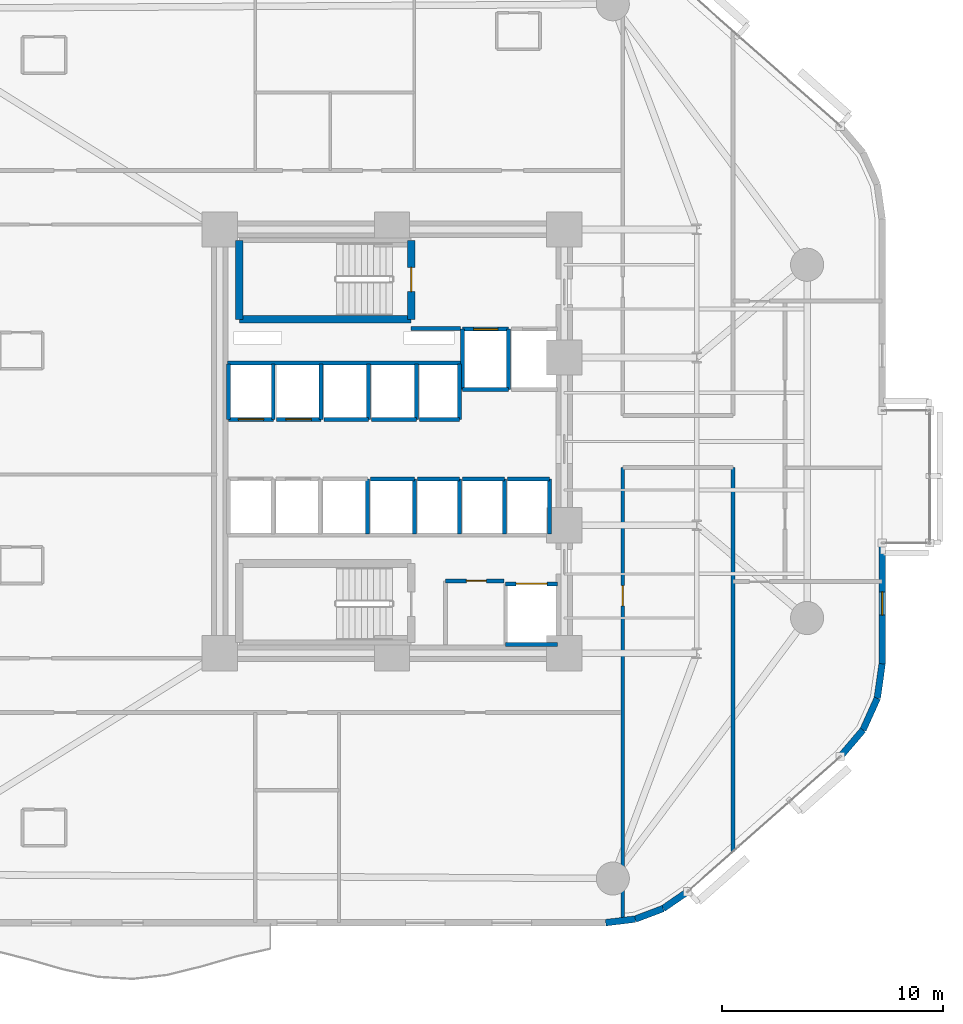
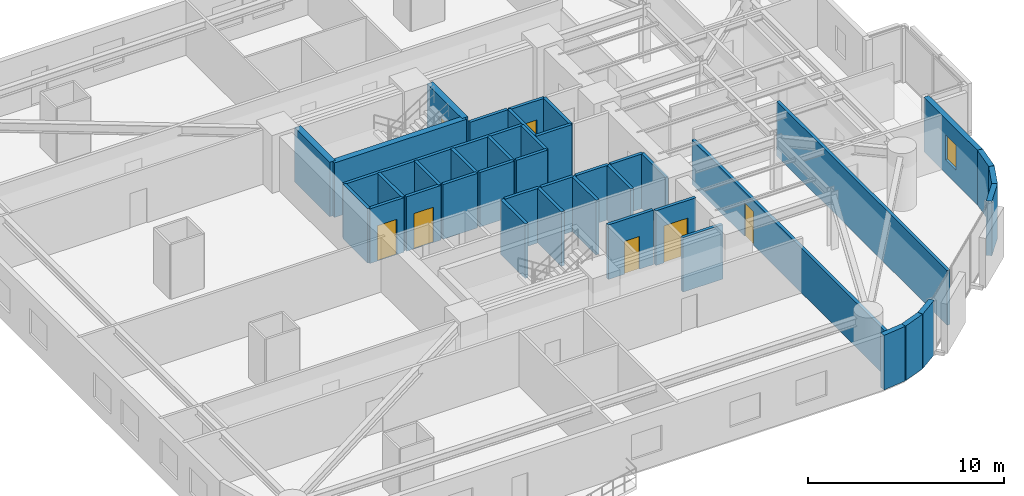
# One storey, part 11 of 16: 41 walls, 7 doors, 1 window, 8 openings.
"""IFC4 building model written with IfcOpenShell, lengths in metres."""

from ifc_helpers import new_model, si_unit, direction, frame, frame_2d, origin, place, context, subcontext, project, spatial, rectangle, extrude, material, layer, layer_set, type_object, element, fill, save


model = new_model("IFC4")

# Units and contexts
model_context = context("Model", 3, precision=1e-05, world=origin(), true_north=direction((0.0, 1.0)))
body_context = subcontext(model_context, "Body", "Model", "MODEL_VIEW")
ifc_project = project(units=[si_unit("LENGTHUNIT", "METRE"), si_unit("AREAUNIT", "SQUARE_METRE"), si_unit("VOLUMEUNIT", "CUBIC_METRE"), si_unit("PLANEANGLEUNIT", "RADIAN"), si_unit("MASSUNIT", "GRAM", prefix="KILO")], contexts=[model_context])

# Site, building, storey
site_placement = place(None, origin())
site = spatial("IfcSite", under=ifc_project, at=site_placement, CompositionType="ELEMENT")
building_placement = place(site_placement, origin())
building = spatial("IfcBuilding", under=site, at=building_placement, Name="An Khanh Terracotta Commons", CompositionType="ELEMENT")
storey_placement = place(building_placement, frame((0.0, 0.0, 57.60009765625)))
storey = spatial("IfcBuildingStorey", under=building, at=storey_placement, Name="L15", CompositionType="ELEMENT", Elevation=57.60009765625)

# Walls
ifc_material_1 = material(Name="Fire-Rated Gypsum Board on Steel Stud", Category="steel")
ifc_layer_1 = layer(ifc_material_1, 0.179931640625, Name="Fire-Rated Gypsum Board on Steel Stud")
ifc_layer_set_1 = layer_set([ifc_layer_1], Name="Fire-Rated Gypsum Board on Steel Stud")
wall_type_1 = type_object("IfcWallType", Name="WALL-CORR-180", PredefinedType="PARTITIONING", material=ifc_layer_set_1)
wall_1_placement = place(storey_placement, frame((30.27001953125, 29.1201171875, 0.0), z_axis=(0.0, 0.0, 1.0), x_axis=(1.0, 0.0, 0.0)))
element("IfcWall", 1, at=wall_1_placement, inside=storey, type_object=wall_type_1, Name="L15 Core Wall FFLW-L15-S", PredefinedType="PARTITIONING", context=body_context, shape_type="SweptSolid", body=[
    extrude(rectangle(XDim=2.239990234375, YDim=0.179931640625, at=frame_2d((1.1201171875, 0.0))), origin(), (0.0, 0.0, 1.0), 3.39990234375),
])
wall_2_placement = place(storey_placement, frame((21.949951171875, 27.5400390625, 0.0), z_axis=(0.0, 0.0, 1.0), x_axis=(1.0, 0.0, 0.0)))
element("IfcWall", 2, at=wall_2_placement, inside=storey, type_object=wall_type_1, Name="L15 Core Wall RSRW-L15-S", PredefinedType="PARTITIONING", context=body_context, shape_type="SweptSolid", body=[
    extrude(rectangle(XDim=10.56005859375, YDim=0.179931640625, at=frame_2d((5.280029296875, 0.0))), origin(), (0.0, 0.0, 1.0), 3.39990234375),
])

# Wall, opening, door
wall_3_placement = place(storey_placement, frame((31.820068359375, 17.679931640625, 0.0), z_axis=(0.0, 0.0, 1.0), x_axis=(1.0, 0.0, 0.0)))
wall_3 = element("IfcWall", 3, at=wall_3_placement, inside=storey, type_object=wall_type_1, Name="L15 Core Wall SSVCW-L15-N", PredefinedType="PARTITIONING", context=body_context, shape_type="SweptSolid", body=[
    extrude(rectangle(XDim=2.659912109375, YDim=0.179931640625, at=frame_2d((1.330078125, 0.0))), origin(), (0.0, 0.0, 1.0), 3.39990234375),
])
opening_1_placement = place(wall_3_placement, frame((0.949951171875, 0.0, 0.0)))
opening_1 = element("IfcOpeningElement", 4, at=opening_1_placement, cuts=wall_3, Name="Opening D-SV", PredefinedType="OPENING", context=body_context, shape_type="SweptSolid", body=[
    extrude(rectangle(XDim=0.89990234375, YDim=2.050048828125, at=frame_2d((0.449951171875, 1.02490234375))), frame((0.0, 0.099853515625, 0.0), z_axis=(0.0, -1.0, 0.0), x_axis=(1.0, 0.0, 0.0)), (0.0, 0.0, 1.0), 0.199951171875),
])
ifc_material_2 = material(Name="Fire-Rated Powder-Coated Steel Door", Category="steel")
door_type_1 = type_object("IfcDoorType", Name="DOOR-SERV-900", OperationType="NOTDEFINED", PredefinedType="DOOR", material=ifc_material_2)
door_1_placement = place(opening_1_placement, origin())
door_1 = element("IfcDoor", 5, at=door_1_placement, inside=storey, type_object=door_type_1, Name="L15 Electrical Switch Cupboard Door", OperationType="SINGLE_SWING_RIGHT", OverallHeight=2.050048828125, OverallWidth=0.89990234375, PredefinedType="DOOR", context=body_context, shape_type="SweptSolid", body=[
    extrude(rectangle(XDim=0.89990234375, YDim=2.050048828125, at=frame_2d((0.449951171875, 1.02490234375))), frame((0.0, 0.02490234375, 0.0), z_axis=(0.0, -1.0, 0.0), x_axis=(1.0, 0.0, 0.0)), (0.0, 0.0, 1.0), 0.050048828125),
])
fill(opening_1, door_1)

wall_4_placement = place(storey_placement, frame((32.60009765625, 29.080078125, 0.0), z_axis=(0.0, 0.0, 1.0), x_axis=(1.0, 0.0, 0.0)))
wall_4 = element("IfcWall", 6, at=wall_4_placement, inside=storey, type_object=wall_type_1, Name="L15 Core Wall LSH-L15-FFL-01-N", PredefinedType="PARTITIONING", context=body_context, shape_type="SweptSolid", body=[
    extrude(rectangle(XDim=2.079833984375, YDim=0.179931640625, at=frame_2d((1.0400390625, 0.0))), origin(), (0.0, 0.0, 1.0), 3.39990234375),
])
opening_2_placement = place(wall_4_placement, frame((0.489990234375, 0.0, 0.0)))
opening_2 = element("IfcOpeningElement", 7, at=opening_2_placement, cuts=wall_4, Name="Opening LD-FFL-01-L15", PredefinedType="OPENING", context=body_context, shape_type="SweptSolid", body=[
    extrude(rectangle(XDim=1.10009765625, YDim=2.199951171875, at=frame_2d((0.550048828125, 1.10009765625))), frame((0.0, 0.099853515625, 0.0), z_axis=(0.0, -1.0, 0.0), x_axis=(1.0, 0.0, 0.0)), (0.0, 0.0, 1.0), 0.199951171875),
])
ifc_material_3 = material(Name="Brushed Stainless Steel Fire Landing Door", Category="steel")
door_type_2 = type_object("IfcDoorType", Name="DOOR-LD-FFL-1100", OperationType="NOTDEFINED", PredefinedType="DOOR", material=ifc_material_3)
door_2_placement = place(opening_2_placement, origin())
door_2 = element("IfcDoor", 8, at=door_2_placement, inside=storey, type_object=door_type_2, Name="L15 Lift FFL-01 Sliding Landing Door", OperationType="DOUBLE_DOOR_SLIDING", OverallHeight=2.199951171875, OverallWidth=1.10009765625, PredefinedType="DOOR", context=body_context, shape_type="SweptSolid", body=[
    extrude(rectangle(XDim=1.10009765625, YDim=2.199951171875, at=frame_2d((0.550048828125, 1.10009765625))), frame((0.0, 0.02490234375, 0.0), z_axis=(0.0, -1.0, 0.0), x_axis=(1.0, 0.0, 0.0)), (0.0, 0.0, 1.0), 0.050048828125),
])
fill(opening_2, door_2)

# Walls
wall_5_placement = place(storey_placement, frame((34.679931640625, 26.35009765625, 0.0), z_axis=(0.0, 0.0, 1.0), x_axis=(-1.0, 0.0, 0.0)))
element("IfcWall", 9, at=wall_5_placement, inside=storey, type_object=wall_type_1, Name="L15 Core Wall LSH-L15-FFL-01-S", PredefinedType="PARTITIONING", context=body_context, shape_type="SweptSolid", body=[
    extrude(rectangle(XDim=2.079833984375, YDim=0.179931640625, at=frame_2d((1.0400390625, 0.0))), origin(), (0.0, 0.0, 1.0), 3.39990234375),
])
for number, where, z_axis, x_axis, name in (
    (10, (34.679931640625, 26.35009765625, 0.0), (0.0, 0.0, 1.0), (0.0, 1.0, 0.0), "L15 Core Wall LSH-L15-FFL-01-E"),
    (11, (32.60009765625, 29.080078125, 0.0), (0.0, 0.0, 1.0), (0.0, -1.0, 0.0), "L15 Core Wall LSH-L15-FFL-01-W"),
):
    element("IfcWall", number, at=place(storey_placement, frame(where, z_axis=z_axis, x_axis=x_axis)), inside=storey, type_object=wall_type_1, Name=name, PredefinedType="PARTITIONING", context=body_context, shape_type="SweptSolid", body=[
        extrude(rectangle(XDim=2.72998046875, YDim=0.179931640625, at=frame_2d((1.364990234375, 0.0))), origin(), (0.0, 0.0, 1.0), 3.39990234375),
    ])

# Wall, opening, door
wall_6_placement = place(storey_placement, frame((34.550048828125, 17.550048828125, 0.0), z_axis=(0.0, 0.0, 1.0), x_axis=(1.0, 0.0, 0.0)))
wall_6 = element("IfcWall", 12, at=wall_6_placement, inside=storey, type_object=wall_type_1, Name="L15 Core Wall LSH-L15-SVL-01-N", PredefinedType="PARTITIONING", context=body_context, shape_type="SweptSolid", body=[
    extrude(rectangle(XDim=2.349853515625, YDim=0.179931640625, at=frame_2d((1.1748046875, 0.0))), origin(), (0.0, 0.0, 1.0), 3.39990234375),
])
opening_3_placement = place(wall_6_placement, frame((0.47509765625, 0.0, 0.0)))
opening_3 = element("IfcOpeningElement", 13, at=opening_3_placement, cuts=wall_6, Name="Opening LD-SVL-01-L15", PredefinedType="OPENING", context=body_context, shape_type="SweptSolid", body=[
    extrude(rectangle(XDim=1.39990234375, YDim=2.300048828125, at=frame_2d((0.699951171875, 1.14990234375))), frame((0.0, 0.099853515625, 0.0), z_axis=(0.0, -1.0, 0.0), x_axis=(1.0, 0.0, 0.0)), (0.0, 0.0, 1.0), 0.199951171875),
])
ifc_material_4 = material(Name="Heavy-Duty Stainless Steel Goods Landing Door", Category="steel")
door_type_3 = type_object("IfcDoorType", Name="DOOR-LD-SVL-1400", OperationType="NOTDEFINED", PredefinedType="DOOR", material=ifc_material_4)
door_3_placement = place(opening_3_placement, origin())
door_3 = element("IfcDoor", 14, at=door_3_placement, inside=storey, type_object=door_type_3, Name="L15 Lift SVL-01 Sliding Landing Door", OperationType="DOUBLE_DOOR_SLIDING", OverallHeight=2.300048828125, OverallWidth=1.39990234375, PredefinedType="DOOR", context=body_context, shape_type="SweptSolid", body=[
    extrude(rectangle(XDim=1.39990234375, YDim=2.300048828125, at=frame_2d((0.699951171875, 1.14990234375))), frame((0.0, 0.02490234375, 0.0), z_axis=(0.0, -1.0, 0.0), x_axis=(1.0, 0.0, 0.0)), (0.0, 0.0, 1.0), 0.050048828125),
])
fill(opening_3, door_3)

# Wall
wall_7_placement = place(storey_placement, frame((36.89990234375, 14.800048828125, 0.0), z_axis=(0.0, 0.0, 1.0), x_axis=(-1.0, 0.0, 0.0)))
element("IfcWall", 15, at=wall_7_placement, inside=storey, type_object=wall_type_1, Name="L15 Core Wall LSH-L15-SVL-01-S", PredefinedType="PARTITIONING", context=body_context, shape_type="SweptSolid", body=[
    extrude(rectangle(XDim=2.349853515625, YDim=0.179931640625, at=frame_2d((1.1748046875, 0.0))), origin(), (0.0, 0.0, 1.0), 3.39990234375),
])

# Wall, opening, door
wall_8_placement = place(storey_placement, frame((24.02001953125, 25.0, 0.0), z_axis=(0.0, 0.0, 1.0), x_axis=(-1.0, 0.0, 0.0)))
wall_8 = element("IfcWall", 16, at=wall_8_placement, inside=storey, type_object=wall_type_1, Name="L15 Core Wall LSH-L15-PL-L1-S", PredefinedType="PARTITIONING", context=body_context, shape_type="SweptSolid", body=[
    extrude(rectangle(XDim=2.02001953125, YDim=0.179931640625, at=frame_2d((1.010009765625, 0.0))), origin(), (0.0, 0.0, 1.0), 3.39990234375),
])
opening_4_placement = place(wall_8_placement, frame((0.43505859375, 0.0, 0.0)))
opening_4 = element("IfcOpeningElement", 17, at=opening_4_placement, cuts=wall_8, Name="Opening LD-PL-L1-L15", PredefinedType="OPENING", context=body_context, shape_type="SweptSolid", body=[
    extrude(rectangle(XDim=1.14990234375, YDim=2.199951171875, at=frame_2d((0.574951171875, 1.10009765625))), frame((0.0, 0.099853515625, 0.0), z_axis=(0.0, -1.0, 0.0), x_axis=(1.0, 0.0, 0.0)), (0.0, 0.0, 1.0), 0.199951171875),
])
ifc_material_5 = material(Name="Brushed Stainless Steel Passenger Landing Door", Category="steel")
door_type_4 = type_object("IfcDoorType", Name="DOOR-LD-PAX-1150", OperationType="NOTDEFINED", PredefinedType="DOOR", material=ifc_material_5)
door_4_placement = place(opening_4_placement, origin())
door_4 = element("IfcDoor", 18, at=door_4_placement, inside=storey, type_object=door_type_4, Name="L15 Lift PL-L1 Sliding Landing Door", OperationType="DOUBLE_DOOR_SLIDING", OverallHeight=2.199951171875, OverallWidth=1.14990234375, PredefinedType="DOOR", context=body_context, shape_type="SweptSolid", body=[
    extrude(rectangle(XDim=1.14990234375, YDim=2.199951171875, at=frame_2d((0.574951171875, 1.10009765625))), frame((0.0, 0.02490234375, 0.0), z_axis=(0.0, -1.0, 0.0), x_axis=(1.0, 0.0, 0.0)), (0.0, 0.0, 1.0), 0.050048828125),
])
fill(opening_4, door_4)

# Walls
for number, where, z_axis, x_axis, name in (
    (19, (24.02001953125, 25.0, 0.0), (0.0, 0.0, 1.0), (0.0, 1.0, 0.0), "L15 Core Wall LSH-L15-PL-L1-E"),
    (20, (22.0, 27.5, 0.0), (0.0, 0.0, 1.0), (0.0, -1.0, 0.0), "L15 Core Wall LSH-L15-PL-L1-W"),
):
    element("IfcWall", number, at=place(storey_placement, frame(where, z_axis=z_axis, x_axis=x_axis)), inside=storey, type_object=wall_type_1, Name=name, PredefinedType="PARTITIONING", context=body_context, shape_type="SweptSolid", body=[
        extrude(rectangle(XDim=2.5, YDim=0.179931640625, at=frame_2d((1.25, 0.0))), origin(), (0.0, 0.0, 1.0), 3.39990234375),
    ])

# Wall, opening, door
wall_9_placement = place(storey_placement, frame((26.179931640625, 25.0, 0.0), z_axis=(0.0, 0.0, 1.0), x_axis=(-1.0, 0.0, 0.0)))
wall_9 = element("IfcWall", 21, at=wall_9_placement, inside=storey, type_object=wall_type_1, Name="L15 Core Wall LSH-L15-PL-L2-S", PredefinedType="PARTITIONING", context=body_context, shape_type="SweptSolid", body=[
    extrude(rectangle(XDim=2.02001953125, YDim=0.179931640625, at=frame_2d((1.010009765625, 0.0))), origin(), (0.0, 0.0, 1.0), 3.39990234375),
])
opening_5_placement = place(wall_9_placement, frame((0.43505859375, 0.0, 0.0)))
opening_5 = element("IfcOpeningElement", 22, at=opening_5_placement, cuts=wall_9, Name="Opening LD-PL-L2-L15", PredefinedType="OPENING", context=body_context, shape_type="SweptSolid", body=[
    extrude(rectangle(XDim=1.14990234375, YDim=2.199951171875, at=frame_2d((0.574951171875, 1.10009765625))), frame((0.0, 0.099853515625, 0.0), z_axis=(0.0, -1.0, 0.0), x_axis=(1.0, 0.0, 0.0)), (0.0, 0.0, 1.0), 0.199951171875),
])
door_5_placement = place(opening_5_placement, origin())
door_5 = element("IfcDoor", 23, at=door_5_placement, inside=storey, type_object=door_type_4, Name="L15 Lift PL-L2 Sliding Landing Door", OperationType="DOUBLE_DOOR_SLIDING", OverallHeight=2.199951171875, OverallWidth=1.14990234375, PredefinedType="DOOR", context=body_context, shape_type="SweptSolid", body=[
    extrude(rectangle(XDim=1.14990234375, YDim=2.199951171875, at=frame_2d((0.574951171875, 1.10009765625))), frame((0.0, 0.02490234375, 0.0), z_axis=(0.0, -1.0, 0.0), x_axis=(1.0, 0.0, 0.0)), (0.0, 0.0, 1.0), 0.050048828125),
])
fill(opening_5, door_5)

# Walls
wall_10_placement = place(storey_placement, frame((26.179931640625, 25.0, 0.0), z_axis=(0.0, 0.0, 1.0), x_axis=(0.0, 1.0, 0.0)))
element("IfcWall", 24, at=wall_10_placement, inside=storey, type_object=wall_type_1, Name="L15 Core Wall LSH-L15-PL-L2-E", PredefinedType="PARTITIONING", context=body_context, shape_type="SweptSolid", body=[
    extrude(rectangle(XDim=2.5, YDim=0.179931640625, at=frame_2d((1.25, 0.0))), origin(), (0.0, 0.0, 1.0), 3.39990234375),
])
wall_11_placement = place(storey_placement, frame((28.340087890625, 25.0, 0.0), z_axis=(0.0, 0.0, 1.0), x_axis=(-1.0, 0.0, 0.0)))
element("IfcWall", 25, at=wall_11_placement, inside=storey, type_object=wall_type_1, Name="L15 Core Wall LSH-L15-PL-M1-S", PredefinedType="PARTITIONING", context=body_context, shape_type="SweptSolid", body=[
    extrude(rectangle(XDim=2.02001953125, YDim=0.179931640625, at=frame_2d((1.010009765625, 0.0))), origin(), (0.0, 0.0, 1.0), 3.39990234375),
])
wall_12_placement = place(storey_placement, frame((28.340087890625, 25.0, 0.0), z_axis=(0.0, 0.0, 1.0), x_axis=(0.0, 1.0, 0.0)))
element("IfcWall", 26, at=wall_12_placement, inside=storey, type_object=wall_type_1, Name="L15 Core Wall LSH-L15-PL-M1-E", PredefinedType="PARTITIONING", context=body_context, shape_type="SweptSolid", body=[
    extrude(rectangle(XDim=2.5, YDim=0.179931640625, at=frame_2d((1.25, 0.0))), origin(), (0.0, 0.0, 1.0), 3.39990234375),
])
wall_13_placement = place(storey_placement, frame((30.5, 25.0, 0.0), z_axis=(0.0, 0.0, 1.0), x_axis=(-1.0, 0.0, 0.0)))
element("IfcWall", 27, at=wall_13_placement, inside=storey, type_object=wall_type_1, Name="L15 Core Wall LSH-L15-PL-M2-S", PredefinedType="PARTITIONING", context=body_context, shape_type="SweptSolid", body=[
    extrude(rectangle(XDim=2.02001953125, YDim=0.179931640625, at=frame_2d((1.010009765625, 0.0))), origin(), (0.0, 0.0, 1.0), 3.39990234375),
])
for number, where, z_axis, x_axis, name in (
    (28, (30.5, 25.0, 0.0), (0.0, 0.0, 1.0), (0.0, 1.0, 0.0), "L15 Core Wall LSH-L15-PL-M2-E"),
    (29, (28.280029296875, 19.800048828125, 0.0), (0.0, 0.0, 1.0), (0.0, 1.0, 0.0), "L15 Core Wall LSH-L15-PL-M3-E"),
):
    element("IfcWall", number, at=place(storey_placement, frame(where, z_axis=z_axis, x_axis=x_axis)), inside=storey, type_object=wall_type_1, Name=name, PredefinedType="PARTITIONING", context=body_context, shape_type="SweptSolid", body=[
        extrude(rectangle(XDim=2.5, YDim=0.179931640625, at=frame_2d((1.25, 0.0))), origin(), (0.0, 0.0, 1.0), 3.39990234375),
    ])
wall_14_placement = place(storey_placement, frame((28.419921875, 22.300048828125, 0.0), z_axis=(0.0, 0.0, 1.0), x_axis=(1.0, 0.0, 0.0)))
element("IfcWall", 30, at=wall_14_placement, inside=storey, type_object=wall_type_1, Name="L15 Core Wall LSH-L15-PL-M4-N", PredefinedType="PARTITIONING", context=body_context, shape_type="SweptSolid", body=[
    extrude(rectangle(XDim=2.0, YDim=0.179931640625, at=frame_2d((1.0, 0.0))), origin(), (0.0, 0.0, 1.0), 3.39990234375),
])
wall_15_placement = place(storey_placement, frame((30.419921875, 19.800048828125, 0.0), z_axis=(0.0, 0.0, 1.0), x_axis=(0.0, 1.0, 0.0)))
element("IfcWall", 31, at=wall_15_placement, inside=storey, type_object=wall_type_1, Name="L15 Core Wall LSH-L15-PL-M4-E", PredefinedType="PARTITIONING", context=body_context, shape_type="SweptSolid", body=[
    extrude(rectangle(XDim=2.5, YDim=0.179931640625, at=frame_2d((1.25, 0.0))), origin(), (0.0, 0.0, 1.0), 3.39990234375),
])
wall_16_placement = place(storey_placement, frame((32.4599609375, 25.0, 0.0), z_axis=(0.0, 0.0, 1.0), x_axis=(-1.0, 0.0, 0.0)))
element("IfcWall", 32, at=wall_16_placement, inside=storey, type_object=wall_type_1, Name="L15 Core Wall LSH-L15-PL-H1-S", PredefinedType="PARTITIONING", context=body_context, shape_type="SweptSolid", body=[
    extrude(rectangle(XDim=1.820068359375, YDim=0.179931640625, at=frame_2d((0.91015625, 0.0))), origin(), (0.0, 0.0, 1.0), 3.39990234375),
])
wall_17_placement = place(storey_placement, frame((32.4599609375, 25.0, 0.0), z_axis=(0.0, 0.0, 1.0), x_axis=(0.0, 1.0, 0.0)))
element("IfcWall", 33, at=wall_17_placement, inside=storey, type_object=wall_type_1, Name="L15 Core Wall LSH-L15-PL-H1-E", PredefinedType="PARTITIONING", context=body_context, shape_type="SweptSolid", body=[
    extrude(rectangle(XDim=2.5, YDim=0.179931640625, at=frame_2d((1.25, 0.0))), origin(), (0.0, 0.0, 1.0), 3.39990234375),
])
wall_18_placement = place(storey_placement, frame((30.56005859375, 22.300048828125, 0.0), z_axis=(0.0, 0.0, 1.0), x_axis=(1.0, 0.0, 0.0)))
element("IfcWall", 34, at=wall_18_placement, inside=storey, type_object=wall_type_1, Name="L15 Core Wall LSH-L15-PL-H2-N", PredefinedType="PARTITIONING", context=body_context, shape_type="SweptSolid", body=[
    extrude(rectangle(XDim=1.89990234375, YDim=0.179931640625, at=frame_2d((0.949951171875, 0.0))), origin(), (0.0, 0.0, 1.0), 3.39990234375),
])
wall_19_placement = place(storey_placement, frame((32.4599609375, 19.800048828125, 0.0), z_axis=(0.0, 0.0, 1.0), x_axis=(0.0, 1.0, 0.0)))
element("IfcWall", 35, at=wall_19_placement, inside=storey, type_object=wall_type_1, Name="L15 Core Wall LSH-L15-PL-H2-E", PredefinedType="PARTITIONING", context=body_context, shape_type="SweptSolid", body=[
    extrude(rectangle(XDim=2.5, YDim=0.179931640625, at=frame_2d((1.25, 0.0))), origin(), (0.0, 0.0, 1.0), 3.39990234375),
])
wall_20_placement = place(storey_placement, frame((32.60009765625, 22.300048828125, 0.0), z_axis=(0.0, 0.0, 1.0), x_axis=(1.0, 0.0, 0.0)))
element("IfcWall", 36, at=wall_20_placement, inside=storey, type_object=wall_type_1, Name="L15 Core Wall LSH-L15-PL-H3-N", PredefinedType="PARTITIONING", context=body_context, shape_type="SweptSolid", body=[
    extrude(rectangle(XDim=1.89990234375, YDim=0.179931640625, at=frame_2d((0.949951171875, 0.0))), origin(), (0.0, 0.0, 1.0), 3.39990234375),
])
wall_21_placement = place(storey_placement, frame((34.5, 19.800048828125, 0.0), z_axis=(0.0, 0.0, 1.0), x_axis=(0.0, 1.0, 0.0)))
element("IfcWall", 37, at=wall_21_placement, inside=storey, type_object=wall_type_1, Name="L15 Core Wall LSH-L15-PL-H3-E", PredefinedType="PARTITIONING", context=body_context, shape_type="SweptSolid", body=[
    extrude(rectangle(XDim=2.5, YDim=0.179931640625, at=frame_2d((1.25, 0.0))), origin(), (0.0, 0.0, 1.0), 3.39990234375),
])
wall_22_placement = place(storey_placement, frame((34.639892578125, 22.300048828125, 0.0), z_axis=(0.0, 0.0, 1.0), x_axis=(1.0, 0.0, 0.0)))
element("IfcWall", 38, at=wall_22_placement, inside=storey, type_object=wall_type_1, Name="L15 Core Wall LSH-L15-PL-H4-N", PredefinedType="PARTITIONING", context=body_context, shape_type="SweptSolid", body=[
    extrude(rectangle(XDim=1.900146484375, YDim=0.179931640625, at=frame_2d((0.9501953125, 0.0))), origin(), (0.0, 0.0, 1.0), 3.39990234375),
])
wall_23_placement = place(storey_placement, frame((36.5400390625, 19.800048828125, 0.0), z_axis=(0.0, 0.0, 1.0), x_axis=(0.0, 1.0, 0.0)))
element("IfcWall", 39, at=wall_23_placement, inside=storey, type_object=wall_type_1, Name="L15 Core Wall LSH-L15-PL-H4-E", PredefinedType="PARTITIONING", context=body_context, shape_type="SweptSolid", body=[
    extrude(rectangle(XDim=2.5, YDim=0.179931640625, at=frame_2d((1.25, 0.0))), origin(), (0.0, 0.0, 1.0), 3.39990234375),
])

# Wall, opening, door
wall_24_placement = place(storey_placement, frame((39.85009765625, 2.29296875, 0.0), z_axis=(0.0, 0.0, 1.0), x_axis=(0.0, 1.0, 0.0)))
wall_24 = element("IfcWall", 40, at=wall_24_placement, inside=storey, type_object=wall_type_1, Name="L15 Interior Partition IW-L15-E020", PredefinedType="PARTITIONING", context=body_context, shape_type="SweptSolid", body=[
    extrude(rectangle(XDim=20.527099609375, YDim=0.179931640625, at=frame_2d((10.263671875, 0.0))), origin(), (0.0, 0.0, 1.0), 2.781982421875),
])
opening_6_placement = place(wall_24_placement, frame((14.257080078125, 0.0, 0.0)))
opening_6 = element("IfcOpeningElement", 41, at=opening_6_placement, cuts=wall_24, Name="Opening D-RM", PredefinedType="OPENING", context=body_context, shape_type="SweptSolid", body=[
    extrude(rectangle(XDim=0.919921875, YDim=2.10009765625, at=frame_2d((0.4599609375, 1.050048828125))), frame((0.0, 0.099853515625, 0.0), z_axis=(0.0, -1.0, 0.0), x_axis=(1.0, 0.0, 0.0)), (0.0, 0.0, 1.0), 0.199951171875),
])
ifc_material_6 = material(Name="Engineered Hardwood Timber Leaf", Category="wood")
door_type_5 = type_object("IfcDoorType", Name="DOOR-INT-920", OperationType="NOTDEFINED", PredefinedType="DOOR", material=ifc_material_6)
door_6_placement = place(opening_6_placement, origin())
door_6 = element("IfcDoor", 42, at=door_6_placement, inside=storey, type_object=door_type_5, Name="L15 SB1 Academic Seminar Room Door", OperationType="SINGLE_SWING_RIGHT", OverallHeight=2.10009765625, OverallWidth=0.919921875, PredefinedType="DOOR", context=body_context, shape_type="SweptSolid", body=[
    extrude(rectangle(XDim=0.919921875, YDim=2.10009765625, at=frame_2d((0.4599609375, 1.050048828125))), frame((0.0, 0.02490234375, 0.0), z_axis=(0.0, -1.0, 0.0), x_axis=(1.0, 0.0, 0.0)), (0.0, 0.0, 1.0), 0.050048828125),
])
fill(opening_6, door_6)

# Walls
wall_25_placement = place(storey_placement, frame((44.85009765625, 5.428955078125, 0.0), z_axis=(0.0, 0.0, 1.0), x_axis=(0.0, 1.0, 0.0)))
element("IfcWall", 43, at=wall_25_placement, inside=storey, type_object=wall_type_1, Name="L15 Interior Partition IW-L15-E022", PredefinedType="PARTITIONING", context=body_context, shape_type="SweptSolid", body=[
    extrude(rectangle(XDim=17.39111328125, YDim=0.179931640625, at=frame_2d((8.695556640625, 0.0))), origin(), (0.0, 0.0, 1.0), 3.39990234375),
])
ifc_material_7 = material(Name="Precast concrete C40/50", Category="concrete")
ifc_layer_2 = layer(ifc_material_7, 0.300048828125, Name="Precast concrete C40/50")
ifc_layer_set_2 = layer_set([ifc_layer_2], Name="Precast concrete C40/50")
wall_type_2 = type_object("IfcWallType", Name="WALL-EXT-300", PredefinedType="SOLIDWALL", material=ifc_layer_set_2)
wall_26_placement = place(storey_placement, frame((39.0791015625, 2.199951171875, 0.0), z_axis=(0.0, 0.0, 1.0), x_axis=(0.992739027259, 0.120288086515, 0.0)))
element("IfcWall", 44, at=wall_26_placement, inside=storey, type_object=wall_type_2, Name="L15 Insulated Terracotta Exterior Wall 5", PredefinedType="SOLIDWALL", context=body_context, shape_type="SweptSolid", body=[
    extrude(rectangle(XDim=1.34765625, YDim=0.300048828125, at=frame_2d((0.673828125, 0.0))), origin(), (0.0, 0.0, 1.0), 3.39990234375),
])
wall_27_placement = place(storey_placement, frame((40.4169921875, 2.362060546875, 0.0), z_axis=(0.0, 0.0, 1.0), x_axis=(0.935156721165, 0.354234254216, 0.0)))
element("IfcWall", 45, at=wall_27_placement, inside=storey, type_object=wall_type_2, Name="L15 Insulated Terracotta Exterior Wall 6", PredefinedType="SOLIDWALL", context=body_context, shape_type="SweptSolid", body=[
    extrude(rectangle(XDim=1.349365234375, YDim=0.300048828125, at=frame_2d((0.6748046875, 0.0))), origin(), (0.0, 0.0, 1.0), 3.39990234375),
])
wall_28_placement = place(storey_placement, frame((41.678955078125, 2.840087890625, 0.0), z_axis=(0.0, 0.0, 1.0), x_axis=(0.823116500192, 0.567872544777, 0.0)))
element("IfcWall", 46, at=wall_28_placement, inside=storey, type_object=wall_type_2, Name="L15 Insulated Terracotta Exterior Wall 7", PredefinedType="SOLIDWALL", context=body_context, shape_type="SweptSolid", body=[
    extrude(rectangle(XDim=1.3486328125, YDim=0.300048828125, at=frame_2d((0.67431640625, 0.0))), origin(), (0.0, 0.0, 1.0), 3.39990234375),
])
wall_29_placement = place(storey_placement, frame((49.7099609375, 9.72802734375, 0.0), z_axis=(0.0, 0.0, 1.0), x_axis=(0.648389989909, 0.7613083613, 0.0)))
element("IfcWall", 47, at=wall_29_placement, inside=storey, type_object=wall_type_2, Name="L15 Insulated Terracotta Exterior Wall 9", PredefinedType="SOLIDWALL", context=body_context, shape_type="SweptSolid", body=[
    extrude(rectangle(XDim=1.576171875, YDim=0.300048828125, at=frame_2d((0.7880859375, 0.0))), origin(), (0.0, 0.0, 1.0), 3.39990234375),
])
wall_30_placement = place(storey_placement, frame((50.73193359375, 10.927978515625, 0.0), z_axis=(0.0, 0.0, 1.0), x_axis=(0.410996558744, 0.911636895206, 0.0)))
element("IfcWall", 48, at=wall_30_placement, inside=storey, type_object=wall_type_2, Name="L15 Insulated Terracotta Exterior Wall 10", PredefinedType="SOLIDWALL", context=body_context, shape_type="SweptSolid", body=[
    extrude(rectangle(XDim=1.57421875, YDim=0.300048828125, at=frame_2d((0.787109375, 0.0))), origin(), (0.0, 0.0, 1.0), 3.39990234375),
])
wall_31_placement = place(storey_placement, frame((51.37890625, 12.363037109375, 0.0), z_axis=(0.0, 0.0, 1.0), x_axis=(0.140380048512, 0.990097693149, 0.0)))
element("IfcWall", 49, at=wall_31_placement, inside=storey, type_object=wall_type_2, Name="L15 Insulated Terracotta Exterior Wall 11", PredefinedType="SOLIDWALL", context=body_context, shape_type="SweptSolid", body=[
    extrude(rectangle(XDim=1.57568359375, YDim=0.300048828125, at=frame_2d((0.787841796875, 0.0))), origin(), (0.0, 0.0, 1.0), 3.39990234375),
])

# Wall, opening, window
wall_32_placement = place(storey_placement, frame((51.60009765625, 13.923095703125, 0.0), z_axis=(0.0, 0.0, 1.0), x_axis=(0.0, 1.0, 0.0)))
wall_32 = element("IfcWall", 50, at=wall_32_placement, inside=storey, type_object=wall_type_2, Name="L15 East Nose Wall South", PredefinedType="SOLIDWALL", context=body_context, shape_type="SweptSolid", body=[
    extrude(rectangle(XDim=5.476806640625, YDim=0.300048828125, at=frame_2d((2.73828125, 0.0))), origin(), (0.0, 0.0, 1.0), 3.39990234375),
])
opening_7_placement = place(wall_32_placement, frame((2.212890625, 0.0, 0.85009765625)))
opening_7 = element("IfcOpeningElement", 51, at=opening_7_placement, cuts=wall_32, Name="Opening W-06", PredefinedType="OPENING", context=body_context, shape_type="SweptSolid", body=[
    extrude(rectangle(XDim=1.050048828125, YDim=1.550048828125, at=frame_2d((0.52490234375, 0.77490234375))), frame((0.0, 0.159912109375, 0.0), z_axis=(0.0, -1.0, 0.0), x_axis=(1.0, 0.0, 0.0)), (0.0, 0.0, 1.0), 0.320068359375),
])
ifc_material_8 = material(Name="Thermally Broken Aluminium and Low-E Glass", Category="aluminium")
window_type = type_object("IfcWindowType", Name="WIN-COR-1050x1550", PartitioningType="SINGLE_PANEL", PredefinedType="WINDOW", material=ifc_material_8)
window_placement = place(opening_7_placement, origin())
window = element("IfcWindow", 52, at=window_placement, inside=storey, type_object=window_type, Name="L15 East Nose South Casement Window", OverallHeight=1.550048828125, OverallWidth=1.050048828125, PartitioningType="SINGLE_PANEL", PredefinedType="WINDOW", context=body_context, shape_type="SweptSolid", body=[
    extrude(rectangle(XDim=1.050048828125, YDim=1.550048828125, at=frame_2d((0.52490234375, 0.77490234375))), frame((0.0, 0.030029296875, 0.0), z_axis=(0.0, -1.0, 0.0), x_axis=(1.0, 0.0, 0.0)), (0.0, 0.0, 1.0), 0.06005859375),
])
fill(opening_7, window)

# Walls
ifc_material_9 = material(Name="Concrete C50/60", Category="concrete")
ifc_layer_3 = layer(ifc_material_9, 0.35009765625, Name="Concrete C50/60")
ifc_layer_set_3 = layer_set([ifc_layer_3], Name="Concrete C50/60")
wall_type_3 = type_object("IfcWallType", Name="WALL-SHAFT-350", PredefinedType="SOLIDWALL", material=ifc_layer_set_3)
wall_33_placement = place(storey_placement, frame((22.47998046875, 29.530029296875, 0.0), z_axis=(0.0, 0.0, 1.0), x_axis=(1.0, 0.0, 0.0)))
element("IfcWall", 53, at=wall_33_placement, inside=storey, type_object=wall_type_3, Name="L15 Core Wall STW-L15-N-S", PredefinedType="SOLIDWALL", context=body_context, shape_type="SweptSolid", body=[
    extrude(rectangle(XDim=7.7900390625, YDim=0.35009765625, at=frame_2d((3.89501953125, 0.0))), origin(), (0.0, 0.0, 1.0), 3.39990234375),
])
wall_34_placement = place(storey_placement, frame((22.47998046875, 29.530029296875, 0.0), z_axis=(0.0, 0.0, 1.0), x_axis=(0.0, 1.0, 0.0)))
element("IfcWall", 54, at=wall_34_placement, inside=storey, type_object=wall_type_3, Name="L15 Core Wall STW-L15-N-W", PredefinedType="SOLIDWALL", context=body_context, shape_type="SweptSolid", body=[
    extrude(rectangle(XDim=3.580078125, YDim=0.35009765625, at=frame_2d((1.7900390625, 0.0))), origin(), (0.0, 0.0, 1.0), 3.39990234375),
])

# Wall, opening, door
wall_35_placement = place(storey_placement, frame((30.27001953125, 29.530029296875, 0.0), z_axis=(0.0, 0.0, 1.0), x_axis=(0.0, 1.0, 0.0)))
wall_35 = element("IfcWall", 55, at=wall_35_placement, inside=storey, type_object=wall_type_3, Name="L15 Core Wall STW-L15-N-E", PredefinedType="SOLIDWALL", context=body_context, shape_type="SweptSolid", body=[
    extrude(rectangle(XDim=3.580078125, YDim=0.35009765625, at=frame_2d((1.7900390625, 0.0))), origin(), (0.0, 0.0, 1.0), 3.39990234375),
])
opening_8_placement = place(wall_35_placement, frame((1.25, 0.0, 0.0)))
opening_8 = element("IfcOpeningElement", 56, at=opening_8_placement, cuts=wall_35, Name="Opening D-ST", PredefinedType="OPENING", context=body_context, shape_type="SweptSolid", body=[
    extrude(rectangle(XDim=1.10009765625, YDim=2.14990234375, at=frame_2d((0.550048828125, 1.074951171875))), frame((0.0, 0.18505859375, 0.0), z_axis=(0.0, -1.0, 0.0), x_axis=(1.0, 0.0, 0.0)), (0.0, 0.0, 1.0), 0.3701171875),
])
ifc_material_10 = material(Name="Fire-Rated Steel Leaf and Frame", Category="steel")
door_type_6 = type_object("IfcDoorType", Name="DOOR-STAIR-1100", OperationType="NOTDEFINED", PredefinedType="DOOR", material=ifc_material_10)
door_7_placement = place(opening_8_placement, origin())
door_7 = element("IfcDoor", 57, at=door_7_placement, inside=storey, type_object=door_type_6, Name="L15 Stair ST-01 Fire Door", OperationType="SINGLE_SWING_RIGHT", OverallHeight=2.14990234375, OverallWidth=1.10009765625, PredefinedType="DOOR", context=body_context, shape_type="SweptSolid", body=[
    extrude(rectangle(XDim=1.10009765625, YDim=2.14990234375, at=frame_2d((0.550048828125, 1.074951171875))), frame((0.0, 0.02490234375, 0.0), z_axis=(0.0, -1.0, 0.0), x_axis=(1.0, 0.0, 0.0)), (0.0, 0.0, 1.0), 0.050048828125),
])
fill(opening_8, door_7)

save(model, "model.ifc")
